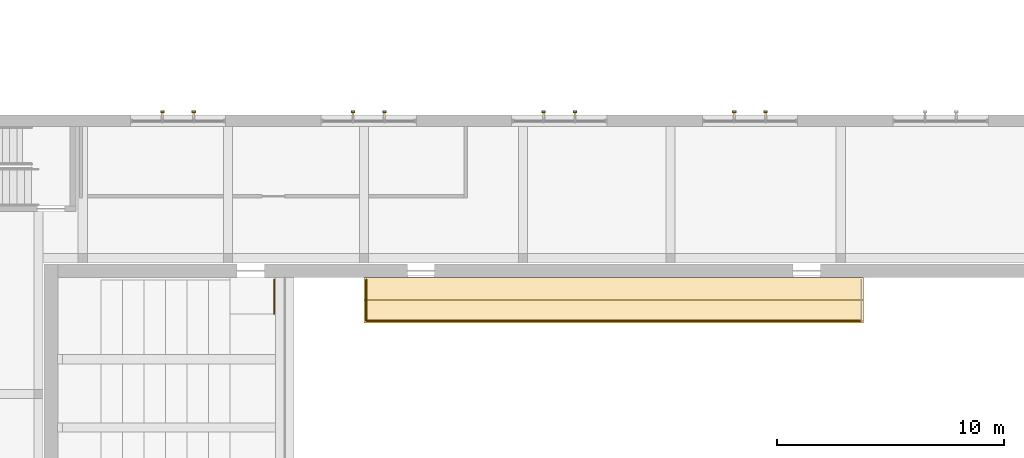
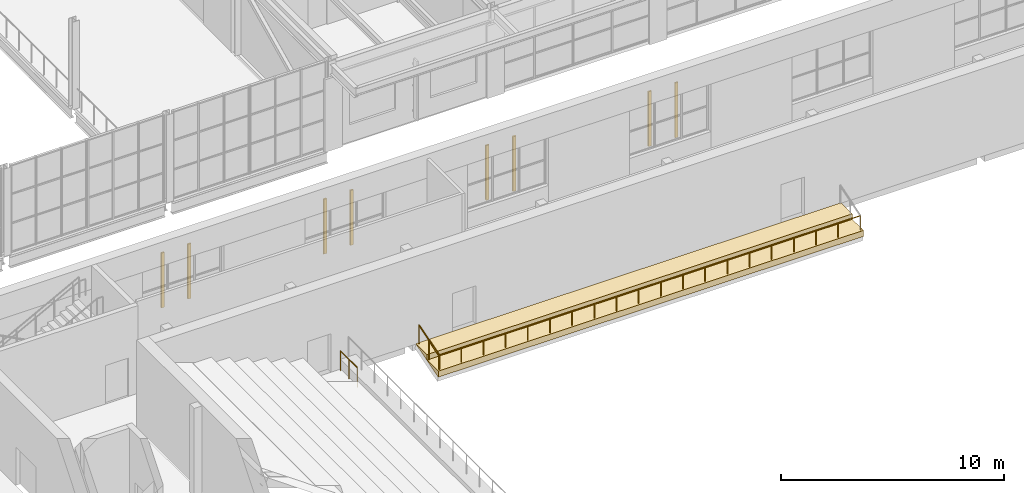
# One storey, part 109 of 116: 8 shading devices, 3 railings, 1 covering.
"""IFC4 building model written with IfcOpenShell, lengths in metres."""

from ifc_helpers import new_model, si_unit, direction, frame, origin, origin_2d, place, context, subcontext, project, spatial, polyline, rectangle, circle, outline, extrude, material, layer, layer_set, type_object, element, save


model = new_model("IFC4")

# Units and contexts
model_context = context("Model", 3, precision=1e-05, world=origin(), true_north=direction((0.0, 1.0)))
body_context = subcontext(model_context, "Body", "Model", "MODEL_VIEW")
ifc_project = project(units=[si_unit("LENGTHUNIT", "METRE"), si_unit("AREAUNIT", "SQUARE_METRE"), si_unit("VOLUMEUNIT", "CUBIC_METRE"), si_unit("PLANEANGLEUNIT", "RADIAN"), si_unit("MASSUNIT", "GRAM", prefix="KILO")], contexts=[model_context])

# Site, building, storey
site_placement = place(None, origin())
site = spatial("IfcSite", under=ifc_project, at=site_placement, CompositionType="ELEMENT")
building_placement = place(site_placement, origin())
building = spatial("IfcBuilding", under=site, at=building_placement, Name="Ljudholm Concert House", CompositionType="ELEMENT")
storey_placement = place(building_placement, frame((0.0, 0.0, 10.199951171875)))
storey = spatial("IfcBuildingStorey", under=building, at=storey_placement, Name="L02", CompositionType="ELEMENT", Elevation=10.199951171875)

# Shading devices
ifc_material_1 = material(Name="Aluminium extrusion with timber-grain PVDF finish", Category="aluminium")
shading_device_type = type_object("IfcShadingDeviceType", Name="FACADE FIN 80x160", PredefinedType="SHUTTER", material=ifc_material_1)
for number, where, z_axis, x_axis, name in (
    (1, (41.110107421875, 96.81005859375, 0.699951171875), (0.0, 0.0, 1.0), (0.0, 1.0, 0.0), "Facade fin"),
    (2, (42.489990234375, 96.81005859375, 0.699951171875), (0.0, 0.0, 1.0), (0.0, 1.0, 0.0), "Facade fin"),
    (3, (49.510009765625, 96.81005859375, 0.699951171875), (0.0, 0.0, 1.0), (0.0, 1.0, 0.0), "Facade fin"),
    (4, (50.889892578125, 96.81005859375, 0.699951171875), (0.0, 0.0, 1.0), (0.0, 1.0, 0.0), "Facade fin"),
    (5, (57.909912109375, 96.81005859375, 0.699951171875), (0.0, 0.0, 1.0), (0.0, 1.0, 0.0), "Facade fin"),
    (6, (59.2900390625, 96.81005859375, 0.699951171875), (0.0, 0.0, 1.0), (0.0, 1.0, 0.0), "Facade fin"),
    (7, (66.31005859375, 96.81005859375, 0.699951171875), (0.0, 0.0, 1.0), (0.0, 1.0, 0.0), "Facade fin"),
    (8, (67.68994140625, 96.81005859375, 0.699951171875), (0.0, 0.0, 1.0), (0.0, 1.0, 0.0), "Facade fin"),
):
    element("IfcShadingDevice", number, at=place(storey_placement, frame(where, z_axis=z_axis, x_axis=x_axis)), inside=storey, type_object=shading_device_type, Name=name, PredefinedType="SHUTTER", context=body_context, shape_type="SweptSolid", body=[
        extrude(rectangle(XDim=0.080078125, YDim=0.159912109375, at=origin_2d()), origin(), (0.0, 0.0, 1.0), 3.0),
    ])

# Railings
ifc_material_2 = material(Name="Steel ASTM A36", Category="steel")
railing_type = type_object("IfcRailingType", Name="GUARD 1100", PredefinedType="GUARDRAIL", material=ifc_material_2)
railing_1_placement = place(storey_placement, frame((46.0400390625, 87.89990234375, 0.0)))
element("IfcRailing", 9, at=railing_1_placement, inside=storey, type_object=railing_type, Name="Landing guard", PredefinedType="GUARDRAIL", context=body_context, shape_type="SweptSolid", body=[
    extrude(circle(Radius=0.02490234375, at=origin_2d()), frame((0.0, 0.0, 1.0751953125), z_axis=(0.0, 1.0, 0.0), x_axis=(-1.0, 0.0, 0.0)), (0.0, 0.0, 1.0), 1.5),
    extrude(circle(Radius=0.02099609375, at=origin_2d()), origin(), (0.0, 0.0, 1.0), 1.050048828125),
    extrude(circle(Radius=0.02099609375, at=origin_2d()), frame((0.0, 0.75, 0.0)), (0.0, 0.0, 1.0), 1.050048828125),
    extrude(circle(Radius=0.02099609375, at=origin_2d()), frame((0.0, 1.5, 0.0)), (0.0, 0.0, 1.0), 1.050048828125),
])
railing_2_placement = place(storey_placement, frame((50.10009765625, 87.60009765625, -0.570068359375)))
element("IfcRailing", 10, at=railing_2_placement, inside=storey, type_object=railing_type, Name="Gallery guard", PredefinedType="GUARDRAIL", context=body_context, shape_type="SweptSolid", body=[
    extrude(circle(Radius=0.02490234375, at=origin_2d()), frame((0.0, 0.0, 1.0751953125), z_axis=(1.0, 0.0, 0.0), x_axis=(0.0, 1.0, 0.0)), (0.0, 0.0, 1.0), 21.7998046875),
    extrude(circle(Radius=0.02099609375, at=origin_2d()), origin(), (0.0, 0.0, 1.0), 1.050048828125),
    extrude(circle(Radius=0.02099609375, at=origin_2d()), frame((1.1474609375, 0.0, 0.0)), (0.0, 0.0, 1.0), 1.050048828125),
    extrude(circle(Radius=0.02099609375, at=origin_2d()), frame((2.294677734375, 0.0, 0.0)), (0.0, 0.0, 1.0), 1.050048828125),
    extrude(circle(Radius=0.02099609375, at=origin_2d()), frame((3.442138671875, 0.0, 0.0)), (0.0, 0.0, 1.0), 1.050048828125),
    extrude(circle(Radius=0.02099609375, at=origin_2d()), frame((4.58935546875, 0.0, 0.0)), (0.0, 0.0, 1.0), 1.050048828125),
    extrude(circle(Radius=0.02099609375, at=origin_2d()), frame((5.73681640625, 0.0, 0.0)), (0.0, 0.0, 1.0), 1.050048828125),
    extrude(circle(Radius=0.02099609375, at=origin_2d()), frame((6.884033203125, 0.0, 0.0)), (0.0, 0.0, 1.0), 1.050048828125),
    extrude(circle(Radius=0.02099609375, at=origin_2d()), frame((8.031494140625, 0.0, 0.0)), (0.0, 0.0, 1.0), 1.050048828125),
    extrude(circle(Radius=0.02099609375, at=origin_2d()), frame((9.178955078125, 0.0, 0.0)), (0.0, 0.0, 1.0), 1.050048828125),
    extrude(circle(Radius=0.02099609375, at=origin_2d()), frame((10.326171875, 0.0, 0.0)), (0.0, 0.0, 1.0), 1.050048828125),
    extrude(circle(Radius=0.02099609375, at=origin_2d()), frame((11.4736328125, 0.0, 0.0)), (0.0, 0.0, 1.0), 1.050048828125),
    extrude(circle(Radius=0.02099609375, at=origin_2d()), frame((12.620849609375, 0.0, 0.0)), (0.0, 0.0, 1.0), 1.050048828125),
    extrude(circle(Radius=0.02099609375, at=origin_2d()), frame((13.768310546875, 0.0, 0.0)), (0.0, 0.0, 1.0), 1.050048828125),
    extrude(circle(Radius=0.02099609375, at=origin_2d()), frame((14.915771484375, 0.0, 0.0)), (0.0, 0.0, 1.0), 1.050048828125),
    extrude(circle(Radius=0.02099609375, at=origin_2d()), frame((16.06298828125, 0.0, 0.0)), (0.0, 0.0, 1.0), 1.050048828125),
    extrude(circle(Radius=0.02099609375, at=origin_2d()), frame((17.21044921875, 0.0, 0.0)), (0.0, 0.0, 1.0), 1.050048828125),
    extrude(circle(Radius=0.02099609375, at=origin_2d()), frame((18.357666015625, 0.0, 0.0)), (0.0, 0.0, 1.0), 1.050048828125),
    extrude(circle(Radius=0.02099609375, at=origin_2d()), frame((19.505126953125, 0.0, 0.0)), (0.0, 0.0, 1.0), 1.050048828125),
    extrude(circle(Radius=0.02099609375, at=origin_2d()), frame((20.65234375, 0.0, 0.0)), (0.0, 0.0, 1.0), 1.050048828125),
    extrude(circle(Radius=0.02099609375, at=origin_2d()), frame((21.7998046875, 0.0, 0.0)), (0.0, 0.0, 1.0), 1.050048828125),
])
railing_3_placement = place(storey_placement, frame((50.10009765625, 89.39990234375, 0.0)))
element("IfcRailing", 11, at=railing_3_placement, inside=storey, type_object=railing_type, Name="Gallery end guard", PredefinedType="GUARDRAIL", context=body_context, shape_type="SweptSolid", body=[
    extrude(circle(Radius=0.02490234375, at=origin_2d()), frame((0.0, 0.0, 1.0751953125), z_axis=(0.0, -0.953322373624, -0.301954387197), x_axis=(1.0, 0.0, 0.0)), (0.0, 0.0, 1.0), 1.887939453125),
    extrude(circle(Radius=0.02099609375, at=origin_2d()), origin(), (0.0, 0.0, 1.0), 1.050048828125),
    extrude(circle(Radius=0.02099609375, at=origin_2d()), frame((0.0, -0.89990234375, -0.28515625)), (0.0, 0.0, 1.0), 1.050048828125),
    extrude(circle(Radius=0.02099609375, at=origin_2d()), frame((0.0, -1.7998046875, -0.570068359375)), (0.0, 0.0, 1.0), 1.050048828125),
])

# Covering
ifc_material_3 = material(Name="Timber seating tread", Category="wood")
ifc_layer = layer(ifc_material_3, 0.030029296875)
ifc_layer_set = layer_set([ifc_layer], Name="Timber seating tread")
covering_type = type_object("IfcCoveringType", Name="TIMBER SEATING TREAD FLOOR FINISH 30", PredefinedType="FLOORING", material=ifc_layer_set)
covering_placement = place(storey_placement, frame((61.0, 87.5, -10.199951171875), z_axis=(0.0, 0.0, 1.0), x_axis=(0.0, 1.0, 0.0)))
element("IfcCovering", 12, at=covering_placement, inside=storey, type_object=covering_type, Name="Upper gallery North seating steps", PredefinedType="FLOORING", context=body_context, shape_type="SweptSolid", body=[
    extrude(outline(polyline([(0.0, 9.60009765625), (2.0, 10.199951171875), (2.0, 10.22998046875), (1.0, 10.22998046875), (1.0, 9.929931640625), (0.0, 9.929931640625), (0.0, 9.60009765625)])), frame((0.0, 11.0, 0.0), z_axis=(0.0, -1.0, 0.0), x_axis=(1.0, 0.0, 0.0)), (0.0, 0.0, 1.0), 22.0),
])

save(model, "model.ifc")
